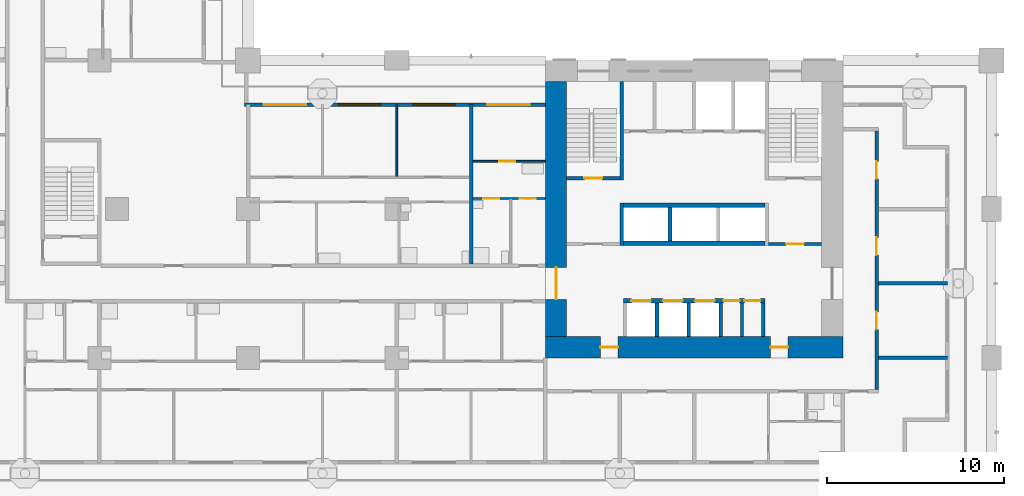
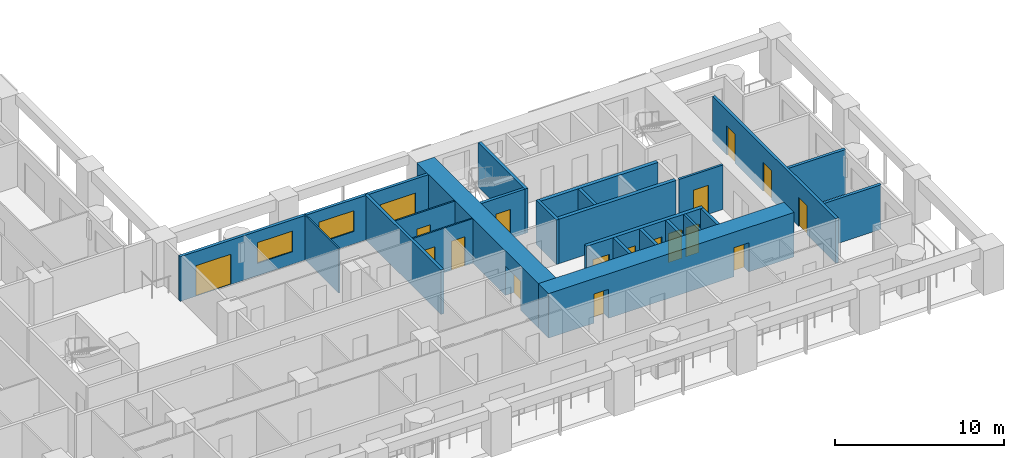
# One storey, part 6 of 20: 23 walls, 18 doors, 2 windows, 20 openings.
"""IFC4 building model written with IfcOpenShell, lengths in metres."""

from ifc_helpers import new_model, si_unit, direction, frame, frame_2d, origin, place, context, subcontext, project, spatial, rectangle, extrude, material, layer, layer_set, type_object, element, fill, save


model = new_model("IFC4")

# Units and contexts
model_context = context("Model", 3, precision=1e-05, world=origin(), true_north=direction((0.0, 1.0)))
body_context = subcontext(model_context, "Body", "Model", "MODEL_VIEW")
ifc_project = project(units=[si_unit("LENGTHUNIT", "METRE"), si_unit("AREAUNIT", "SQUARE_METRE"), si_unit("VOLUMEUNIT", "CUBIC_METRE"), si_unit("PLANEANGLEUNIT", "RADIAN"), si_unit("MASSUNIT", "GRAM", prefix="KILO")], contexts=[model_context])

# Site, building, storey
site_placement = place(None, origin())
site = spatial("IfcSite", under=ifc_project, at=site_placement, CompositionType="ELEMENT")
building_placement = place(site_placement, origin())
building = spatial("IfcBuilding", under=site, at=building_placement, Name="Vermilion Gate Residences", CompositionType="ELEMENT")
storey_placement = place(building_placement, frame((0.0, 0.0, 42.699951171875)))
storey = spatial("IfcBuildingStorey", under=building, at=storey_placement, Name="L09", CompositionType="ELEMENT", Elevation=42.699951171875)

# Wall
ifc_material_1 = material(Name="Masonry blockwork", Category="masonry")
ifc_layer_1 = layer(ifc_material_1, 0.14990234375)
ifc_layer_set_1 = layer_set([ifc_layer_1], Name="BLOCKWORK PARTITION 150 EI 120")
wall_type_1 = type_object("IfcWallType", Name="BLOCKWORK PARTITION 150 EI 120", PredefinedType="PARTITIONING", material=ifc_layer_set_1)
wall_1_placement = place(storey_placement, frame((53.10009765625, 9.60009765625, 0.0), z_axis=(0.0, 0.0, 1.0), x_axis=(0.0, 1.0, 0.0)))
element("IfcWall", 1, at=wall_1_placement, inside=storey, type_object=wall_type_1, Name="Core room partition A09-SR-P0", PredefinedType="PARTITIONING", context=body_context, shape_type="SweptSolid", body=[
    extrude(rectangle(XDim=1.89990234375, YDim=0.14990234375, at=frame_2d((0.949951171875, 0.0))), origin(), (0.0, 0.0, 1.0), 3.219970703125),
])

# Wall, opening, door
wall_2_placement = place(storey_placement, frame((54.60009765625, 14.824951171875, 0.0), z_axis=(0.0, 0.0, 1.0), x_axis=(1.0, 0.0, 0.0)))
wall_2 = element("IfcWall", 2, at=wall_2_placement, inside=storey, type_object=wall_type_1, Name="Core room partition A09-VE-S", PredefinedType="PARTITIONING", context=body_context, shape_type="SweptSolid", body=[
    extrude(rectangle(XDim=3.0, YDim=0.14990234375, at=frame_2d((1.5, 0.0))), origin(), (0.0, 0.0, 1.0), 3.219970703125),
])
opening_1_placement = place(wall_2_placement, frame((1.0, 0.0, 0.0)))
opening_1 = element("IfcOpeningElement", 3, at=opening_1_placement, cuts=wall_2, Name="Opening DK09016", PredefinedType="OPENING", context=body_context, shape_type="SweptSolid", body=[
    extrude(rectangle(XDim=1.0, YDim=2.10009765625, at=frame_2d((0.5, 1.050048828125))), frame((0.0, 0.0849609375, 0.0), z_axis=(0.0, -1.0, 0.0), x_axis=(1.0, 0.0, 0.0)), (0.0, 0.0, 1.0), 0.169921875),
])
ifc_material_2 = material(Name="Steel", Category="steel")
door_type_1 = type_object("IfcDoorType", Name="FIRE DOOR FD60 1000 X 2100", OperationType="SINGLE_SWING_LEFT", PredefinedType="DOOR", material=ifc_material_2)
door_1_placement = place(opening_1_placement, frame((1.0, 0.0, 0.0), z_axis=(0.0, 0.0, 1.0), x_axis=(-1.0, 0.0, 0.0)))
door_1 = element("IfcDoor", 4, at=door_1_placement, inside=storey, type_object=door_type_1, Name="Stair vestibule door A09", OperationType="SINGLE_SWING_LEFT", OverallHeight=2.10009765625, OverallWidth=1.0, PredefinedType="DOOR", context=body_context, shape_type="SweptSolid", body=[
    extrude(rectangle(XDim=1.0, YDim=2.10009765625, at=frame_2d((0.5, 1.050048828125))), frame((0.0, 0.02490234375, 0.0), z_axis=(0.0, -1.0, 0.0), x_axis=(1.0, 0.0, 0.0)), (0.0, 0.0, 1.0), 0.050048828125),
])
fill(opening_1, door_1)

# Wall, openings, doors, windows
ifc_material_3 = material(Name="Insulated steel stud wall with terracotta rainscreen", Category="masonry")
ifc_layer_2 = layer(ifc_material_3, 0.199951171875)
ifc_layer_set_2 = layer_set([ifc_layer_2], Name="EXTERNAL WALL 200 TERRACOTTA RAINSCREEN")
wall_type_2 = type_object("IfcWallType", Name="EXTERNAL WALL 200 TERRACOTTA RAINSCREEN", PredefinedType="SOLIDWALL", material=ifc_layer_set_2)
wall_3_placement = place(storey_placement, frame((42.0, 22.699951171875, 0.0), z_axis=(0.0, 0.0, 1.0), x_axis=(-1.0, 0.0, 0.0)))
wall_3 = element("IfcWall", 5, at=wall_3_placement, inside=storey, type_object=wall_type_2, Name="External wall", PredefinedType="SOLIDWALL", context=body_context, shape_type="SweptSolid", body=[
    extrude(rectangle(XDim=17.0, YDim=0.199951171875, at=frame_2d((8.5, 0.0))), origin(), (0.0, 0.0, 1.0), 3.219970703125),
])
opening_2_placement = place(wall_3_placement, frame((13.5, 0.0, 0.0)))
opening_2 = element("IfcOpeningElement", 6, at=opening_2_placement, cuts=wall_3, Name="Opening DE09033", PredefinedType="OPENING", context=body_context, shape_type="SweptSolid", body=[
    extrude(rectangle(XDim=2.39990234375, YDim=2.199951171875, at=frame_2d((1.199951171875, 1.10009765625))), frame((0.0, 0.10986328125, 0.0), z_axis=(0.0, -1.0, 0.0), x_axis=(1.0, 0.0, 0.0)), (0.0, 0.0, 1.0), 0.219970703125),
])
opening_3_placement = place(wall_3_placement, frame((9.300048828125, 0.0, 0.89990234375)))
opening_3 = element("IfcOpeningElement", 7, at=opening_3_placement, cuts=wall_3, Name="Opening WE09034", PredefinedType="OPENING", context=body_context, shape_type="SweptSolid", body=[
    extrude(rectangle(XDim=2.39990234375, YDim=1.5, at=frame_2d((1.199951171875, 0.75))), frame((0.0, 0.10986328125, 0.0), z_axis=(0.0, -1.0, 0.0), x_axis=(1.0, 0.0, 0.0)), (0.0, 0.0, 1.0), 0.219970703125),
])
opening_4_placement = place(wall_3_placement, frame((5.10009765625, 0.0, 0.89990234375)))
opening_4 = element("IfcOpeningElement", 8, at=opening_4_placement, cuts=wall_3, Name="Opening WE09035", PredefinedType="OPENING", context=body_context, shape_type="SweptSolid", body=[
    extrude(rectangle(XDim=2.39990234375, YDim=1.5, at=frame_2d((1.199951171875, 0.75))), frame((0.0, 0.10986328125, 0.0), z_axis=(0.0, -1.0, 0.0), x_axis=(1.0, 0.0, 0.0)), (0.0, 0.0, 1.0), 0.219970703125),
])
opening_5_placement = place(wall_3_placement, frame((0.89990234375, 0.0, 0.0)))
opening_5 = element("IfcOpeningElement", 9, at=opening_5_placement, cuts=wall_3, Name="Opening DE09036", PredefinedType="OPENING", context=body_context, shape_type="SweptSolid", body=[
    extrude(rectangle(XDim=2.39990234375, YDim=2.199951171875, at=frame_2d((1.199951171875, 1.10009765625))), frame((0.0, 0.10986328125, 0.0), z_axis=(0.0, -1.0, 0.0), x_axis=(1.0, 0.0, 0.0)), (0.0, 0.0, 1.0), 0.219970703125),
])
ifc_material_4 = material(Name="Aluminium and clear glass", Category="aluminium")
door_type_2 = type_object("IfcDoorType", Name="SLIDING GLAZED DOOR 2400 X 2200", OperationType="DOUBLE_DOOR_SLIDING", PredefinedType="DOOR", material=ifc_material_4)
door_2_placement = place(opening_2_placement, origin())
door_2 = element("IfcDoor", 10, at=door_2_placement, inside=storey, type_object=door_type_2, Name="Loggia sliding door", OperationType="DOUBLE_DOOR_SLIDING", OverallHeight=2.199951171875, OverallWidth=2.39990234375, PredefinedType="DOOR", context=body_context, shape_type="SweptSolid", body=[
    extrude(rectangle(XDim=2.39990234375, YDim=2.199951171875, at=frame_2d((1.199951171875, 1.10009765625))), frame((0.0, 0.02490234375, 0.0), z_axis=(0.0, -1.0, 0.0), x_axis=(1.0, 0.0, 0.0)), (0.0, 0.0, 1.0), 0.050048828125),
])
fill(opening_2, door_2)
door_3_placement = place(opening_5_placement, origin())
door_3 = element("IfcDoor", 11, at=door_3_placement, inside=storey, type_object=door_type_2, Name="Loggia sliding door", OperationType="DOUBLE_DOOR_SLIDING", OverallHeight=2.199951171875, OverallWidth=2.39990234375, PredefinedType="DOOR", context=body_context, shape_type="SweptSolid", body=[
    extrude(rectangle(XDim=2.39990234375, YDim=2.199951171875, at=frame_2d((1.199951171875, 1.10009765625))), frame((0.0, 0.02490234375, 0.0), z_axis=(0.0, -1.0, 0.0), x_axis=(1.0, 0.0, 0.0)), (0.0, 0.0, 1.0), 0.050048828125),
])
fill(opening_5, door_3)
ifc_material_5 = material(Name="Aluminium and clear glass", Category="aluminium")
window_type = type_object("IfcWindowType", Name="WINDOW 2400 X 1500", PartitioningType="SINGLE_PANEL", PredefinedType="WINDOW", material=ifc_material_5)
window_1_placement = place(opening_3_placement, origin())
window_1 = element("IfcWindow", 12, at=window_1_placement, inside=storey, type_object=window_type, Name="Window", OverallHeight=1.5, OverallWidth=2.39990234375, PartitioningType="SINGLE_PANEL", PredefinedType="WINDOW", context=body_context, shape_type="SweptSolid", body=[
    extrude(rectangle(XDim=2.39990234375, YDim=1.5, at=frame_2d((1.199951171875, 0.75))), frame((0.0, 0.030029296875, 0.0), z_axis=(0.0, -1.0, 0.0), x_axis=(1.0, 0.0, 0.0)), (0.0, 0.0, 1.0), 0.06005859375),
])
fill(opening_3, window_1)
window_2_placement = place(opening_4_placement, origin())
window_2 = element("IfcWindow", 13, at=window_2_placement, inside=storey, type_object=window_type, Name="Window", OverallHeight=1.5, OverallWidth=2.39990234375, PartitioningType="SINGLE_PANEL", PredefinedType="WINDOW", context=body_context, shape_type="SweptSolid", body=[
    extrude(rectangle(XDim=2.39990234375, YDim=1.5, at=frame_2d((1.199951171875, 0.75))), frame((0.0, 0.030029296875, 0.0), z_axis=(0.0, -1.0, 0.0), x_axis=(1.0, 0.0, 0.0)), (0.0, 0.0, 1.0), 0.06005859375),
])
fill(opening_4, window_2)

# Wall, openings, doors
ifc_material_6 = material(Name="Plasterboard on steel studs", Category="steel")
ifc_layer_3 = layer(ifc_material_6, 0.10009765625)
ifc_layer_set_3 = layer_set([ifc_layer_3], Name="PARTITION 100")
wall_type_3 = type_object("IfcWallType", Name="PARTITION 100", PredefinedType="PARTITIONING", material=ifc_layer_set_3)
wall_4_placement = place(storey_placement, frame((37.89990234375, 17.39990234375, 0.0), z_axis=(0.0, 0.0, 1.0), x_axis=(1.0, 0.0, 0.0)))
wall_4 = element("IfcWall", 14, at=wall_4_placement, inside=storey, type_object=wall_type_3, Name="Partition", PredefinedType="PARTITIONING", context=body_context, shape_type="SweptSolid", body=[
    extrude(rectangle(XDim=4.10009765625, YDim=0.10009765625, at=frame_2d((2.050048828125, 0.0))), origin(), (0.0, 0.0, 1.0), 3.219970703125),
])
opening_6_placement = place(wall_4_placement, frame((2.639892578125, 0.0, 0.0)))
opening_6 = element("IfcOpeningElement", 15, at=opening_6_placement, cuts=wall_4, Name="Opening DA07030", PredefinedType="OPENING", context=body_context, shape_type="SweptSolid", body=[
    extrude(rectangle(XDim=0.89990234375, YDim=2.10009765625, at=frame_2d((0.449951171875, 1.050048828125))), frame((0.0, 0.06005859375, 0.0), z_axis=(0.0, -1.0, 0.0), x_axis=(1.0, 0.0, 0.0)), (0.0, 0.0, 1.0), 0.1201171875),
])
opening_7_placement = place(wall_4_placement, frame((0.60009765625, 0.0, 0.0)))
opening_7 = element("IfcOpeningElement", 16, at=opening_7_placement, cuts=wall_4, Name="Opening DA07031", PredefinedType="OPENING", context=body_context, shape_type="SweptSolid", body=[
    extrude(rectangle(XDim=0.89990234375, YDim=2.10009765625, at=frame_2d((0.449951171875, 1.050048828125))), frame((0.0, 0.06005859375, 0.0), z_axis=(0.0, -1.0, 0.0), x_axis=(1.0, 0.0, 0.0)), (0.0, 0.0, 1.0), 0.1201171875),
])
ifc_material_7 = material(Name="Timber", Category="wood")
door_type_3 = type_object("IfcDoorType", Name="INTERIOR DOOR 900 X 2100", OperationType="SINGLE_SWING_LEFT", PredefinedType="DOOR", material=ifc_material_7)
door_4_placement = place(opening_6_placement, origin())
door_4 = element("IfcDoor", 17, at=door_4_placement, inside=storey, type_object=door_type_3, Name="Interior door", OperationType="SINGLE_SWING_RIGHT", OverallHeight=2.10009765625, OverallWidth=0.89990234375, PredefinedType="DOOR", context=body_context, shape_type="SweptSolid", body=[
    extrude(rectangle(XDim=0.89990234375, YDim=2.10009765625, at=frame_2d((0.449951171875, 1.050048828125))), frame((0.0, 0.02490234375, 0.0), z_axis=(0.0, -1.0, 0.0), x_axis=(1.0, 0.0, 0.0)), (0.0, 0.0, 1.0), 0.050048828125),
])
fill(opening_6, door_4)
door_5_placement = place(opening_7_placement, frame((0.89990234375, 0.0, 0.0), z_axis=(0.0, 0.0, 1.0), x_axis=(-1.0, 0.0, 0.0)))
door_5 = element("IfcDoor", 18, at=door_5_placement, inside=storey, type_object=door_type_3, Name="Interior door", OperationType="SINGLE_SWING_RIGHT", OverallHeight=2.10009765625, OverallWidth=0.89990234375, PredefinedType="DOOR", context=body_context, shape_type="SweptSolid", body=[
    extrude(rectangle(XDim=0.89990234375, YDim=2.10009765625, at=frame_2d((0.449951171875, 1.050048828125))), frame((0.0, 0.02490234375, 0.0), z_axis=(0.0, -1.0, 0.0), x_axis=(1.0, 0.0, 0.0)), (0.0, 0.0, 1.0), 0.050048828125),
])
fill(opening_7, door_5)

# Wall, opening, door
wall_5_placement = place(storey_placement, frame((37.89990234375, 19.5, 0.0), z_axis=(0.0, 0.0, 1.0), x_axis=(1.0, 0.0, 0.0)))
wall_5 = element("IfcWall", 19, at=wall_5_placement, inside=storey, type_object=wall_type_3, Name="Partition", PredefinedType="PARTITIONING", context=body_context, shape_type="SweptSolid", body=[
    extrude(rectangle(XDim=4.10009765625, YDim=0.10009765625, at=frame_2d((2.050048828125, 0.0))), origin(), (0.0, 0.0, 1.0), 3.219970703125),
])
opening_8_placement = place(wall_5_placement, frame((1.5, 0.0, 0.0)))
opening_8 = element("IfcOpeningElement", 20, at=opening_8_placement, cuts=wall_5, Name="Opening DA07035", PredefinedType="OPENING", context=body_context, shape_type="SweptSolid", body=[
    extrude(rectangle(XDim=0.89990234375, YDim=2.10009765625, at=frame_2d((0.449951171875, 1.050048828125))), frame((0.0, 0.06005859375, 0.0), z_axis=(0.0, -1.0, 0.0), x_axis=(1.0, 0.0, 0.0)), (0.0, 0.0, 1.0), 0.1201171875),
])
door_6_placement = place(opening_8_placement, frame((0.89990234375, 0.0, 0.0), z_axis=(0.0, 0.0, 1.0), x_axis=(-1.0, 0.0, 0.0)))
door_6 = element("IfcDoor", 21, at=door_6_placement, inside=storey, type_object=door_type_3, Name="Interior door", OperationType="SINGLE_SWING_LEFT", OverallHeight=2.10009765625, OverallWidth=0.89990234375, PredefinedType="DOOR", context=body_context, shape_type="SweptSolid", body=[
    extrude(rectangle(XDim=0.89990234375, YDim=2.10009765625, at=frame_2d((0.449951171875, 1.050048828125))), frame((0.0, 0.02490234375, 0.0), z_axis=(0.0, -1.0, 0.0), x_axis=(1.0, 0.0, 0.0)), (0.0, 0.0, 1.0), 0.050048828125),
])
fill(opening_8, door_6)

# Walls
wall_6_placement = place(storey_placement, frame((33.60009765625, 18.64990234375, 0.0), z_axis=(0.0, 0.0, 1.0), x_axis=(0.0, 1.0, 0.0)))
element("IfcWall", 22, at=wall_6_placement, inside=storey, type_object=wall_type_3, Name="Partition", PredefinedType="PARTITIONING", context=body_context, shape_type="SweptSolid", body=[
    extrude(rectangle(XDim=4.050048828125, YDim=0.10009765625, at=frame_2d((2.02490234375, 0.0))), origin(), (0.0, 0.0, 1.0), 3.219970703125),
])
ifc_material_8 = material(Name="Fire-rated plasterboard on steel studs", Category="steel")
ifc_layer_4 = layer(ifc_material_8, 0.199951171875)
ifc_layer_set_4 = layer_set([ifc_layer_4], Name="PARTY WALL 200 EI 120")
wall_type_4 = type_object("IfcWallType", Name="PARTY WALL 200 EI 120", PredefinedType="PARTITIONING", material=ifc_layer_set_4)
for number, where, z_axis, x_axis, name in (
    (23, (60.800048828125, 8.39990234375, 0.0), (0.0, 0.0, 1.0), (1.0, 0.0, 0.0), "Party and corridor wall"),
    (24, (60.800048828125, 12.60009765625, 0.0), (0.0, 0.0, 1.0), (1.0, 0.0, 0.0), "Party and corridor wall"),
):
    element("IfcWall", number, at=place(storey_placement, frame(where, z_axis=z_axis, x_axis=x_axis)), inside=storey, type_object=wall_type_4, Name=name, PredefinedType="PARTITIONING", context=body_context, shape_type="SweptSolid", body=[
        extrude(rectangle(XDim=3.89990234375, YDim=0.199951171875, at=frame_2d((1.949951171875, 0.0))), origin(), (0.0, 0.0, 1.0), 3.219970703125),
    ])
wall_7_placement = place(storey_placement, frame((37.800048828125, 13.699951171875, 0.0), z_axis=(0.0, 0.0, 1.0), x_axis=(0.0, 1.0, 0.0)))
element("IfcWall", 25, at=wall_7_placement, inside=storey, type_object=wall_type_4, Name="Party and corridor wall", PredefinedType="PARTITIONING", context=body_context, shape_type="SweptSolid", body=[
    extrude(rectangle(XDim=9.0, YDim=0.199951171875, at=frame_2d((4.5, 0.0))), origin(), (0.0, 0.0, 1.0), 3.219970703125),
])

# Wall, openings, doors
wall_8_placement = place(storey_placement, frame((60.699951171875, 6.60009765625, 0.0), z_axis=(0.0, 0.0, 1.0), x_axis=(0.0, 1.0, 0.0)))
wall_8 = element("IfcWall", 26, at=wall_8_placement, inside=storey, type_object=wall_type_4, Name="Party and corridor wall", PredefinedType="PARTITIONING", context=body_context, shape_type="SweptSolid", body=[
    extrude(rectangle(XDim=14.599853515625, YDim=0.199951171875, at=frame_2d((7.2998046875, 0.0))), origin(), (0.0, 0.0, 1.0), 3.219970703125),
])
opening_9_placement = place(wall_8_placement, frame((3.39990234375, 0.0, 0.0)))
opening_9 = element("IfcOpeningElement", 27, at=opening_9_placement, cuts=wall_8, Name="Opening DA07066", PredefinedType="OPENING", context=body_context, shape_type="SweptSolid", body=[
    extrude(rectangle(XDim=1.0, YDim=2.10009765625, at=frame_2d((0.5, 1.050048828125))), frame((0.0, 0.10986328125, 0.0), z_axis=(0.0, -1.0, 0.0), x_axis=(1.0, 0.0, 0.0)), (0.0, 0.0, 1.0), 0.219970703125),
])
opening_10_placement = place(wall_8_placement, frame((7.60009765625, 0.0, 0.0)))
opening_10 = element("IfcOpeningElement", 28, at=opening_10_placement, cuts=wall_8, Name="Opening DA07067", PredefinedType="OPENING", context=body_context, shape_type="SweptSolid", body=[
    extrude(rectangle(XDim=1.0, YDim=2.10009765625, at=frame_2d((0.5, 1.050048828125))), frame((0.0, 0.10986328125, 0.0), z_axis=(0.0, -1.0, 0.0), x_axis=(1.0, 0.0, 0.0)), (0.0, 0.0, 1.0), 0.219970703125),
])
opening_11_placement = place(wall_8_placement, frame((11.89990234375, 0.0, 0.0)))
opening_11 = element("IfcOpeningElement", 29, at=opening_11_placement, cuts=wall_8, Name="Opening DA07068", PredefinedType="OPENING", context=body_context, shape_type="SweptSolid", body=[
    extrude(rectangle(XDim=1.0, YDim=2.10009765625, at=frame_2d((0.5, 1.050048828125))), frame((0.0, 0.10986328125, 0.0), z_axis=(0.0, -1.0, 0.0), x_axis=(1.0, 0.0, 0.0)), (0.0, 0.0, 1.0), 0.219970703125),
])
ifc_material_9 = material(Name="Steel", Category="steel")
door_type_4 = type_object("IfcDoorType", Name="ENTRANCE DOOR 1000 X 2100 FD30", OperationType="SINGLE_SWING_LEFT", PredefinedType="DOOR", material=ifc_material_9)
door_7_placement = place(opening_9_placement, frame((1.0, 0.0, 0.0), z_axis=(0.0, 0.0, 1.0), x_axis=(-1.0, 0.0, 0.0)))
door_7 = element("IfcDoor", 30, at=door_7_placement, inside=storey, type_object=door_type_4, Name="Entrance door", OperationType="SINGLE_SWING_RIGHT", OverallHeight=2.10009765625, OverallWidth=1.0, PredefinedType="DOOR", context=body_context, shape_type="SweptSolid", body=[
    extrude(rectangle(XDim=1.0, YDim=2.10009765625, at=frame_2d((0.5, 1.050048828125))), frame((0.0, 0.02490234375, 0.0), z_axis=(0.0, -1.0, 0.0), x_axis=(1.0, 0.0, 0.0)), (0.0, 0.0, 1.0), 0.050048828125),
])
fill(opening_9, door_7)
door_8_placement = place(opening_10_placement, frame((1.0, 0.0, 0.0), z_axis=(0.0, 0.0, 1.0), x_axis=(-1.0, 0.0, 0.0)))
door_8 = element("IfcDoor", 31, at=door_8_placement, inside=storey, type_object=door_type_4, Name="Entrance door", OperationType="SINGLE_SWING_RIGHT", OverallHeight=2.10009765625, OverallWidth=1.0, PredefinedType="DOOR", context=body_context, shape_type="SweptSolid", body=[
    extrude(rectangle(XDim=1.0, YDim=2.10009765625, at=frame_2d((0.5, 1.050048828125))), frame((0.0, 0.02490234375, 0.0), z_axis=(0.0, -1.0, 0.0), x_axis=(1.0, 0.0, 0.0)), (0.0, 0.0, 1.0), 0.050048828125),
])
fill(opening_10, door_8)
door_9_placement = place(opening_11_placement, frame((1.0, 0.0, 0.0), z_axis=(0.0, 0.0, 1.0), x_axis=(-1.0, 0.0, 0.0)))
door_9 = element("IfcDoor", 32, at=door_9_placement, inside=storey, type_object=door_type_4, Name="Entrance door", OperationType="SINGLE_SWING_RIGHT", OverallHeight=2.10009765625, OverallWidth=1.0, PredefinedType="DOOR", context=body_context, shape_type="SweptSolid", body=[
    extrude(rectangle(XDim=1.0, YDim=2.10009765625, at=frame_2d((0.5, 1.050048828125))), frame((0.0, 0.02490234375, 0.0), z_axis=(0.0, -1.0, 0.0), x_axis=(1.0, 0.0, 0.0)), (0.0, 0.0, 1.0), 0.050048828125),
])
fill(opening_11, door_9)

# Walls
ifc_material_10 = material(Name="Concrete C60", Category="concrete")
ifc_layer_5 = layer(ifc_material_10, 0.199951171875)
ifc_layer_set_5 = layer_set([ifc_layer_5], Name="RC CORE INTERNAL WALL 200 C60")
wall_type_5 = type_object("IfcWallType", Name="RC CORE INTERNAL WALL 200 C60", PredefinedType="SHEAR", material=ifc_layer_set_5)
for number, where, z_axis, x_axis, name in (
    (33, (48.300048828125, 9.60009765625, 0.0), (0.0, 0.0, 1.0), (0.0, 1.0, 0.0), "Core internal wall A09-LR-D1"),
    (34, (50.10009765625, 9.60009765625, 0.0), (0.0, 0.0, 1.0), (0.0, 1.0, 0.0), "Core internal wall A09-LR-D2"),
    (35, (51.89990234375, 9.60009765625, 0.0), (0.0, 0.0, 1.0), (0.0, 1.0, 0.0), "Core internal wall A09-LR-D3"),
    (36, (54.300048828125, 9.60009765625, 0.0), (0.0, 0.0, 1.0), (0.0, 1.0, 0.0), "Core internal wall A09-LR-DE"),
    (37, (49.033447265625, 15.0, 0.0), (0.0, 0.0, 1.0), (0.0, 1.0, 0.0), "Core internal wall A09-HR-D1"),
):
    element("IfcWall", number, at=place(storey_placement, frame(where, z_axis=z_axis, x_axis=x_axis)), inside=storey, type_object=wall_type_5, Name=name, PredefinedType="SHEAR", context=body_context, shape_type="SweptSolid", body=[
        extrude(rectangle(XDim=1.89990234375, YDim=0.199951171875, at=frame_2d((0.949951171875, 0.0))), origin(), (0.0, 0.0, 1.0), 3.219970703125),
    ])
wall_9_placement = place(storey_placement, frame((46.300048828125, 14.75, 0.0), z_axis=(0.0, 0.0, 1.0), x_axis=(0.0, 1.0, 0.0)))
element("IfcWall", 38, at=wall_9_placement, inside=storey, type_object=wall_type_5, Name="Core internal wall A09-WDIV1", PredefinedType="SHEAR", context=body_context, shape_type="SweptSolid", body=[
    extrude(rectangle(XDim=2.39990234375, YDim=0.199951171875, at=frame_2d((1.199951171875, 0.0))), origin(), (0.0, 0.0, 1.0), 3.219970703125),
])
wall_10_placement = place(storey_placement, frame((46.300048828125, 18.449951171875, 0.0), z_axis=(0.0, 0.0, 1.0), x_axis=(0.0, 1.0, 0.0)))
element("IfcWall", 39, at=wall_10_placement, inside=storey, type_object=wall_type_5, Name="Core internal wall A09-WDIV2", PredefinedType="SHEAR", context=body_context, shape_type="SweptSolid", body=[
    extrude(rectangle(XDim=5.550048828125, YDim=0.199951171875, at=frame_2d((2.77490234375, 0.0))), origin(), (0.0, 0.0, 1.0), 3.219970703125),
])

# Wall, opening, door
wall_11_placement = place(storey_placement, frame((43.199951171875, 18.550048828125, 0.0), z_axis=(0.0, 0.0, 1.0), x_axis=(1.0, 0.0, 0.0)))
wall_11 = element("IfcWall", 40, at=wall_11_placement, inside=storey, type_object=wall_type_5, Name="Core internal wall A09-STW-S", PredefinedType="SHEAR", context=body_context, shape_type="SweptSolid", body=[
    extrude(rectangle(XDim=3.0, YDim=0.199951171875, at=frame_2d((1.5, 0.0))), origin(), (0.0, 0.0, 1.0), 3.219970703125),
])
opening_12_placement = place(wall_11_placement, frame((1.0, 0.0, 0.0)))
opening_12 = element("IfcOpeningElement", 41, at=opening_12_placement, cuts=wall_11, Name="Opening DK09015", PredefinedType="OPENING", context=body_context, shape_type="SweptSolid", body=[
    extrude(rectangle(XDim=1.0, YDim=2.10009765625, at=frame_2d((0.5, 1.050048828125))), frame((0.0, 0.10986328125, 0.0), z_axis=(0.0, -1.0, 0.0), x_axis=(1.0, 0.0, 0.0)), (0.0, 0.0, 1.0), 0.219970703125),
])
door_10_placement = place(opening_12_placement, origin())
door_10 = element("IfcDoor", 42, at=door_10_placement, inside=storey, type_object=door_type_1, Name="Stair door A09", OperationType="SINGLE_SWING_LEFT", OverallHeight=2.10009765625, OverallWidth=1.0, PredefinedType="DOOR", context=body_context, shape_type="SweptSolid", body=[
    extrude(rectangle(XDim=1.0, YDim=2.10009765625, at=frame_2d((0.5, 1.050048828125))), frame((0.0, 0.02490234375, 0.0), z_axis=(0.0, -1.0, 0.0), x_axis=(1.0, 0.0, 0.0)), (0.0, 0.0, 1.0), 0.050048828125),
])
fill(opening_12, door_10)

# Wall, openings, doors
ifc_material_11 = material(Name="Concrete C80", Category="concrete")
ifc_layer_6 = layer(ifc_material_11, 1.199951171875)
ifc_layer_set_6 = layer_set([ifc_layer_6], Name="RC CORE WALL 1200 C80")
wall_type_6 = type_object("IfcWallType", Name="RC CORE WALL 1200 C80", PredefinedType="SHEAR", material=ifc_layer_set_6)
wall_12_placement = place(storey_placement, frame((42.0, 9.0, 0.0), z_axis=(0.0, 0.0, 1.0), x_axis=(1.0, 0.0, 0.0)))
wall_12 = element("IfcWall", 43, at=wall_12_placement, inside=storey, type_object=wall_type_6, Name="Core wall A09-OUT-B0", PredefinedType="SHEAR", context=body_context, shape_type="SweptSolid", body=[
    extrude(rectangle(XDim=16.800048828125, YDim=1.199951171875, at=frame_2d((8.39990234375, 0.0))), origin(), (0.0, 0.0, 1.0), 3.219970703125),
])
opening_13_placement = place(wall_12_placement, frame((3.10009765625, 0.0, 0.0)))
opening_13 = element("IfcOpeningElement", 44, at=opening_13_placement, cuts=wall_12, Name="Opening DK09001", PredefinedType="OPENING", context=body_context, shape_type="SweptSolid", body=[
    extrude(rectangle(XDim=1.0, YDim=2.10009765625, at=frame_2d((0.5, 1.050048828125))), frame((0.0, 0.60986328125, 0.0), z_axis=(0.0, -1.0, 0.0), x_axis=(1.0, 0.0, 0.0)), (0.0, 0.0, 1.0), 1.219970703125),
])
opening_14_placement = place(wall_12_placement, frame((12.699951171875, 0.0, 0.0)))
opening_14 = element("IfcOpeningElement", 45, at=opening_14_placement, cuts=wall_12, Name="Opening DK09002", PredefinedType="OPENING", context=body_context, shape_type="SweptSolid", body=[
    extrude(rectangle(XDim=1.0, YDim=2.10009765625, at=frame_2d((0.5, 1.050048828125))), frame((0.0, 0.60986328125, 0.0), z_axis=(0.0, -1.0, 0.0), x_axis=(1.0, 0.0, 0.0)), (0.0, 0.0, 1.0), 1.219970703125),
])
door_11_placement = place(opening_13_placement, origin())
door_11 = element("IfcDoor", 46, at=door_11_placement, inside=storey, type_object=door_type_1, Name="Core lobby side door A09", OperationType="SINGLE_SWING_RIGHT", OverallHeight=2.10009765625, OverallWidth=1.0, PredefinedType="DOOR", context=body_context, shape_type="SweptSolid", body=[
    extrude(rectangle(XDim=1.0, YDim=2.10009765625, at=frame_2d((0.5, 1.050048828125))), frame((0.0, 0.02490234375, 0.0), z_axis=(0.0, -1.0, 0.0), x_axis=(1.0, 0.0, 0.0)), (0.0, 0.0, 1.0), 0.050048828125),
])
fill(opening_13, door_11)
door_12_placement = place(opening_14_placement, origin())
door_12 = element("IfcDoor", 47, at=door_12_placement, inside=storey, type_object=door_type_1, Name="Core lobby side door A09", OperationType="SINGLE_SWING_LEFT", OverallHeight=2.10009765625, OverallWidth=1.0, PredefinedType="DOOR", context=body_context, shape_type="SweptSolid", body=[
    extrude(rectangle(XDim=1.0, YDim=2.10009765625, at=frame_2d((0.5, 1.050048828125))), frame((0.0, 0.02490234375, 0.0), z_axis=(0.0, -1.0, 0.0), x_axis=(1.0, 0.0, 0.0)), (0.0, 0.0, 1.0), 0.050048828125),
])
fill(opening_14, door_12)

# Wall, opening, door
wall_13_placement = place(storey_placement, frame((42.60009765625, 9.60009765625, 0.0), z_axis=(0.0, 0.0, 1.0), x_axis=(0.0, 1.0, 0.0)))
wall_13 = element("IfcWall", 48, at=wall_13_placement, inside=storey, type_object=wall_type_6, Name="Core wall A09-OUT-FR", PredefinedType="SHEAR", context=body_context, shape_type="SweptSolid", body=[
    extrude(rectangle(XDim=14.39990234375, YDim=1.199951171875, at=frame_2d((7.199951171875, 0.0))), origin(), (0.0, 0.0, 1.0), 3.219970703125),
])
opening_15_placement = place(wall_13_placement, frame((2.10009765625, 0.0, 0.0)))
opening_15 = element("IfcOpeningElement", 49, at=opening_15_placement, cuts=wall_13, Name="Opening DK09003", PredefinedType="OPENING", context=body_context, shape_type="SweptSolid", body=[
    extrude(rectangle(XDim=1.800048828125, YDim=2.10009765625, at=frame_2d((0.89990234375, 1.050048828125))), frame((0.0, 0.60986328125, 0.0), z_axis=(0.0, -1.0, 0.0), x_axis=(1.0, 0.0, 0.0)), (0.0, 0.0, 1.0), 1.219970703125),
])
ifc_material_12 = material(Name="Steel", Category="steel")
door_type_5 = type_object("IfcDoorType", Name="CORE LOBBY DOOR FD60 1800 X 2100", OperationType="DOUBLE_DOOR_SINGLE_SWING", PredefinedType="DOOR", material=ifc_material_12)
door_13_placement = place(opening_15_placement, frame((1.800048828125, 0.0, 0.0), z_axis=(0.0, 0.0, 1.0), x_axis=(-1.0, 0.0, 0.0)))
door_13 = element("IfcDoor", 50, at=door_13_placement, inside=storey, type_object=door_type_5, Name="Core lobby door A09", OperationType="DOUBLE_DOOR_SINGLE_SWING", OverallHeight=2.10009765625, OverallWidth=1.800048828125, PredefinedType="DOOR", context=body_context, shape_type="SweptSolid", body=[
    extrude(rectangle(XDim=1.800048828125, YDim=2.10009765625, at=frame_2d((0.89990234375, 1.050048828125))), frame((0.0, 0.02490234375, 0.0), z_axis=(0.0, -1.0, 0.0), x_axis=(1.0, 0.0, 0.0)), (0.0, 0.0, 1.0), 0.050048828125),
])
fill(opening_15, door_13)

# Wall, openings, doors
ifc_material_13 = material(Name="Concrete C60", Category="concrete")
ifc_layer_7 = layer(ifc_material_13, 0.25)
ifc_layer_set_7 = layer_set([ifc_layer_7], Name="RC LIFT SHAFT WALL 250 C60")
wall_type_7 = type_object("IfcWallType", Name="RC LIFT SHAFT WALL 250 C60", PredefinedType="SHEAR", material=ifc_layer_set_7)
wall_14_placement = place(storey_placement, frame((46.39990234375, 11.625, 0.0), z_axis=(0.0, 0.0, 1.0), x_axis=(1.0, 0.0, 0.0)))
wall_14 = element("IfcWall", 51, at=wall_14_placement, inside=storey, type_object=wall_type_7, Name="Lift shaft wall A09-LR-F", PredefinedType="SHEAR", context=body_context, shape_type="SweptSolid", body=[
    extrude(rectangle(XDim=8.0, YDim=0.25, at=frame_2d((4.0, 0.0))), origin(), (0.0, 0.0, 1.0), 3.219970703125),
])
opening_16_placement = place(wall_14_placement, frame((0.449951171875, 0.0, 0.0)))
opening_16 = element("IfcOpeningElement", 52, at=opening_16_placement, cuts=wall_14, Name="Opening LD", PredefinedType="OPENING", context=body_context, shape_type="SweptSolid", body=[
    extrude(rectangle(XDim=1.10009765625, YDim=2.10009765625, at=frame_2d((0.550048828125, 1.050048828125))), frame((0.0, 0.135009765625, 0.0), z_axis=(0.0, -1.0, 0.0), x_axis=(1.0, 0.0, 0.0)), (0.0, 0.0, 1.0), 0.27001953125),
])
opening_17_placement = place(wall_14_placement, frame((2.25, 0.0, 0.0)))
opening_17 = element("IfcOpeningElement", 53, at=opening_17_placement, cuts=wall_14, Name="Opening LD", PredefinedType="OPENING", context=body_context, shape_type="SweptSolid", body=[
    extrude(rectangle(XDim=1.10009765625, YDim=2.10009765625, at=frame_2d((0.550048828125, 1.050048828125))), frame((0.0, 0.135009765625, 0.0), z_axis=(0.0, -1.0, 0.0), x_axis=(1.0, 0.0, 0.0)), (0.0, 0.0, 1.0), 0.27001953125),
])
opening_18_placement = place(wall_14_placement, frame((4.050048828125, 0.0, 0.0)))
opening_18 = element("IfcOpeningElement", 54, at=opening_18_placement, cuts=wall_14, Name="Opening LD", PredefinedType="OPENING", context=body_context, shape_type="SweptSolid", body=[
    extrude(rectangle(XDim=1.10009765625, YDim=2.10009765625, at=frame_2d((0.550048828125, 1.050048828125))), frame((0.0, 0.135009765625, 0.0), z_axis=(0.0, -1.0, 0.0), x_axis=(1.0, 0.0, 0.0)), (0.0, 0.0, 1.0), 0.27001953125),
])
opening_19_placement = place(wall_14_placement, frame((5.66259765625, 0.0, 0.0)))
opening_19 = element("IfcOpeningElement", 55, at=opening_19_placement, cuts=wall_14, Name="Opening DK09008", PredefinedType="OPENING", context=body_context, shape_type="SweptSolid", body=[
    extrude(rectangle(XDim=0.89990234375, YDim=2.10009765625, at=frame_2d((0.449951171875, 1.050048828125))), frame((0.0, 0.135009765625, 0.0), z_axis=(0.0, -1.0, 0.0), x_axis=(1.0, 0.0, 0.0)), (0.0, 0.0, 1.0), 0.27001953125),
])
opening_20_placement = place(wall_14_placement, frame((6.83740234375, 0.0, 0.0)))
opening_20 = element("IfcOpeningElement", 56, at=opening_20_placement, cuts=wall_14, Name="Opening DK09009", PredefinedType="OPENING", context=body_context, shape_type="SweptSolid", body=[
    extrude(rectangle(XDim=0.89990234375, YDim=2.10009765625, at=frame_2d((0.449951171875, 1.050048828125))), frame((0.0, 0.135009765625, 0.0), z_axis=(0.0, -1.0, 0.0), x_axis=(1.0, 0.0, 0.0)), (0.0, 0.0, 1.0), 0.27001953125),
])
ifc_material_14 = material(Name="Stainless steel", Category="steel")
door_type_6 = type_object("IfcDoorType", Name="LIFT LANDING DOOR E60 1100 X 2100", OperationType="DOUBLE_DOOR_SLIDING", PredefinedType="DOOR", material=ifc_material_14)
door_14_placement = place(opening_16_placement, origin())
door_14 = element("IfcDoor", 57, at=door_14_placement, inside=storey, type_object=door_type_6, Name="Lift landing door LRA1", OperationType="DOUBLE_DOOR_SLIDING", OverallHeight=2.10009765625, OverallWidth=1.10009765625, PredefinedType="DOOR", context=body_context, shape_type="SweptSolid", body=[
    extrude(rectangle(XDim=1.10009765625, YDim=2.10009765625, at=frame_2d((0.550048828125, 1.050048828125))), frame((0.0, 0.02490234375, 0.0), z_axis=(0.0, -1.0, 0.0), x_axis=(1.0, 0.0, 0.0)), (0.0, 0.0, 1.0), 0.050048828125),
])
fill(opening_16, door_14)
door_15_placement = place(opening_17_placement, origin())
door_15 = element("IfcDoor", 58, at=door_15_placement, inside=storey, type_object=door_type_6, Name="Lift landing door LRA2", OperationType="DOUBLE_DOOR_SLIDING", OverallHeight=2.10009765625, OverallWidth=1.10009765625, PredefinedType="DOOR", context=body_context, shape_type="SweptSolid", body=[
    extrude(rectangle(XDim=1.10009765625, YDim=2.10009765625, at=frame_2d((0.550048828125, 1.050048828125))), frame((0.0, 0.02490234375, 0.0), z_axis=(0.0, -1.0, 0.0), x_axis=(1.0, 0.0, 0.0)), (0.0, 0.0, 1.0), 0.050048828125),
])
fill(opening_17, door_15)
door_16_placement = place(opening_18_placement, origin())
door_16 = element("IfcDoor", 59, at=door_16_placement, inside=storey, type_object=door_type_6, Name="Lift landing door LRA3", OperationType="DOUBLE_DOOR_SLIDING", OverallHeight=2.10009765625, OverallWidth=1.10009765625, PredefinedType="DOOR", context=body_context, shape_type="SweptSolid", body=[
    extrude(rectangle(XDim=1.10009765625, YDim=2.10009765625, at=frame_2d((0.550048828125, 1.050048828125))), frame((0.0, 0.02490234375, 0.0), z_axis=(0.0, -1.0, 0.0), x_axis=(1.0, 0.0, 0.0)), (0.0, 0.0, 1.0), 0.050048828125),
])
fill(opening_18, door_16)
ifc_material_15 = material(Name="Steel", Category="steel")
door_type_7 = type_object("IfcDoorType", Name="SERVICE ROOM DOOR FD60 900 X 2100", OperationType="SINGLE_SWING_LEFT", PredefinedType="DOOR", material=ifc_material_15)
door_17_placement = place(opening_19_placement, frame((0.89990234375, 0.0, 0.0), z_axis=(0.0, 0.0, 1.0), x_axis=(-1.0, 0.0, 0.0)))
door_17 = element("IfcDoor", 60, at=door_17_placement, inside=storey, type_object=door_type_7, Name="Refuse room A09", OperationType="SINGLE_SWING_RIGHT", OverallHeight=2.10009765625, OverallWidth=0.89990234375, PredefinedType="DOOR", context=body_context, shape_type="SweptSolid", body=[
    extrude(rectangle(XDim=0.89990234375, YDim=2.10009765625, at=frame_2d((0.449951171875, 1.050048828125))), frame((0.0, 0.02490234375, 0.0), z_axis=(0.0, -1.0, 0.0), x_axis=(1.0, 0.0, 0.0)), (0.0, 0.0, 1.0), 0.050048828125),
])
fill(opening_19, door_17)
door_18_placement = place(opening_20_placement, frame((0.89990234375, 0.0, 0.0), z_axis=(0.0, 0.0, 1.0), x_axis=(-1.0, 0.0, 0.0)))
door_18 = element("IfcDoor", 61, at=door_18_placement, inside=storey, type_object=door_type_7, Name="Parcel room A09", OperationType="SINGLE_SWING_RIGHT", OverallHeight=2.10009765625, OverallWidth=0.89990234375, PredefinedType="DOOR", context=body_context, shape_type="SweptSolid", body=[
    extrude(rectangle(XDim=0.89990234375, YDim=2.10009765625, at=frame_2d((0.449951171875, 1.050048828125))), frame((0.0, 0.02490234375, 0.0), z_axis=(0.0, -1.0, 0.0), x_axis=(1.0, 0.0, 0.0)), (0.0, 0.0, 1.0), 0.050048828125),
])
fill(opening_20, door_18)

# Walls
for number, where, z_axis, x_axis, name in (
    (62, (46.39990234375, 14.875, 0.0), (0.0, 0.0, 1.0), (1.0, 0.0, 0.0), "Lift shaft wall A09-HR-F"),
    (63, (46.39990234375, 17.02490234375, 0.0), (0.0, 0.0, 1.0), (1.0, 0.0, 0.0), "Lift shaft wall A09-HR-B"),
):
    element("IfcWall", number, at=place(storey_placement, frame(where, z_axis=z_axis, x_axis=x_axis)), inside=storey, type_object=wall_type_7, Name=name, PredefinedType="SHEAR", context=body_context, shape_type="SweptSolid", body=[
        extrude(rectangle(XDim=8.0, YDim=0.25, at=frame_2d((4.0, 0.0))), origin(), (0.0, 0.0, 1.0), 3.219970703125),
    ])

save(model, "model.ifc")
